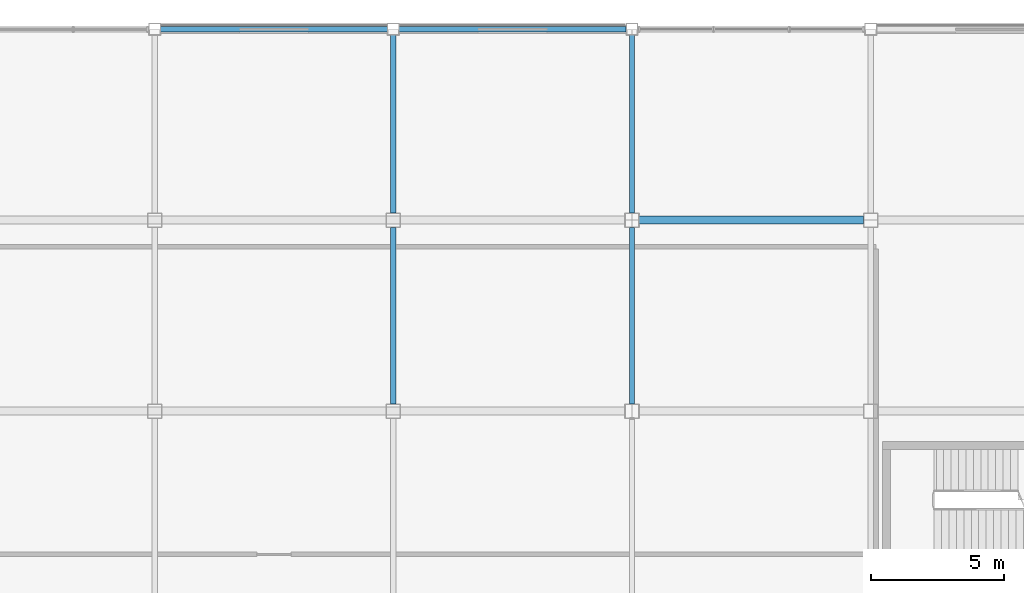
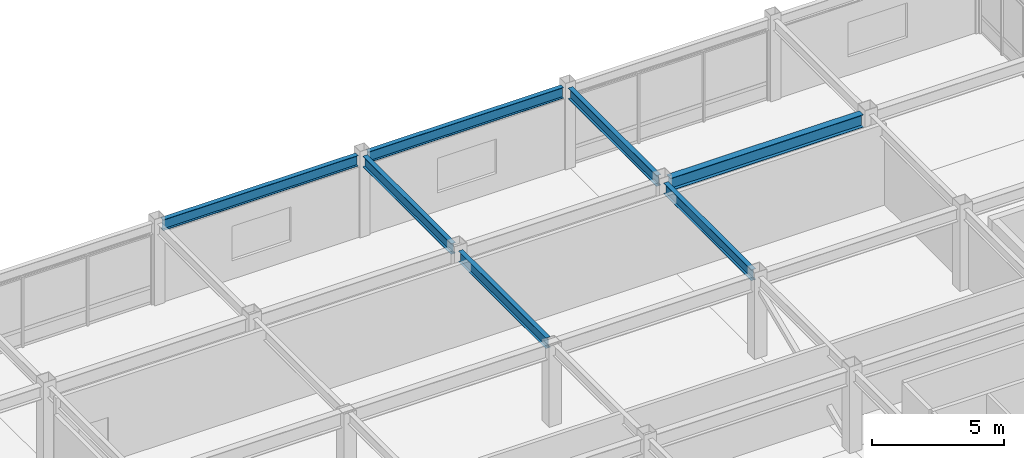
# One storey, part 73 of 122: 7 beams.
"""IFC4 building model written with IfcOpenShell, lengths in metres."""

from ifc_helpers import new_model, si_unit, direction, frame, origin, origin_2d, place, context, subcontext, project, spatial, i_section, extrude, material, material_profile, profile_set, type_object, element, save


model = new_model("IFC4")

# Units and contexts
model_context = context("Model", 3, precision=1e-05, world=origin(), true_north=direction((0.0, 1.0)))
body_context = subcontext(model_context, "Body", "Model", "MODEL_VIEW")
ifc_project = project(units=[si_unit("LENGTHUNIT", "METRE"), si_unit("AREAUNIT", "SQUARE_METRE"), si_unit("VOLUMEUNIT", "CUBIC_METRE"), si_unit("PLANEANGLEUNIT", "RADIAN"), si_unit("MASSUNIT", "GRAM", prefix="KILO")], contexts=[model_context])

# Site, building, storey
site_placement = place(None, origin())
site = spatial("IfcSite", under=ifc_project, at=site_placement, CompositionType="ELEMENT")
building_placement = place(site_placement, origin())
building = spatial("IfcBuilding", under=site, at=building_placement, Name="Kazanami Central Library", CompositionType="ELEMENT")
storey_placement = place(building_placement, frame((0.0, 0.0, 4.800048828125)))
storey = spatial("IfcBuildingStorey", under=building, at=storey_placement, Name="L02", CompositionType="ELEMENT", Elevation=4.800048828125)

# Beams
ifc_material = material(Name="Steel SN490B (325 MPa)", Category="steel")
ifc_material_profile_1 = material_profile(ifc_material, i_section(OverallWidth=0.300048828125, OverallDepth=0.587890625, WebThickness=0.011962890625, FlangeThickness=0.02001953125, at=origin_2d()), Name="H-588x300x12x20")
ifc_profile_set_1 = profile_set([ifc_material_profile_1], Name="Steel SN490B (325 MPa)")
beam_type_1 = type_object("IfcBeamType", Name="BM-G-X2", PredefinedType="BEAM", material=ifc_profile_set_1)
beam_1_placement = place(storey_placement, frame((90.27294921875, 86.39990234375, 3.4609375), z_axis=(1.0, 0.0, 0.0), x_axis=(0.0, 1.0, 0.0)))
element("IfcBeam", 1, at=beam_1_placement, inside=storey, type_object=beam_type_1, Name="Girder G-X2 L02 N/11-12", PredefinedType="BEAM", context=body_context, shape_type="SweptSolid", body=[
    extrude(i_section(OverallWidth=0.300048828125, OverallDepth=0.587890625, WebThickness=0.011962890625, FlangeThickness=0.02001953125, at=origin_2d()), origin(), (0.0, 0.0, 1.0), 8.4541015625),
])
ifc_material_profile_2 = material_profile(ifc_material, i_section(OverallWidth=0.199951171875, OverallDepth=0.5, WebThickness=0.010009765625, FlangeThickness=0.01611328125, at=origin_2d()), Name="H-500x200x10x16")
ifc_profile_set_2 = profile_set([ifc_material_profile_2], Name="Steel SN490B (325 MPa)")
beam_type_2 = type_object("IfcBeamType", Name="BM-G-Y2", PredefinedType="BEAM", material=ifc_profile_set_2)
beam_2_placement = place(storey_placement, frame((81.0, 79.472900390625, 3.5048828125), z_axis=(0.0, 1.0, 0.0), x_axis=(-1.0, 0.0, 0.0)))
element("IfcBeam", 2, at=beam_2_placement, inside=storey, type_object=beam_type_2, Name="Girder G-Y2 L02 10/M-N", PredefinedType="BEAM", context=body_context, shape_type="SweptSolid", body=[
    extrude(i_section(OverallWidth=0.199951171875, OverallDepth=0.5, WebThickness=0.010009765625, FlangeThickness=0.01611328125, at=origin_2d()), origin(), (0.0, 0.0, 1.0), 6.654052734375),
])
beam_3_placement = place(storey_placement, frame((81.0, 86.673095703125, 3.5048828125), z_axis=(0.0, 1.0, 0.0), x_axis=(-1.0, 0.0, 0.0)))
element("IfcBeam", 3, at=beam_3_placement, inside=storey, type_object=beam_type_2, Name="Girder G-Y2 L02 10/N-O", PredefinedType="BEAM", context=body_context, shape_type="SweptSolid", body=[
    extrude(i_section(OverallWidth=0.199951171875, OverallDepth=0.5, WebThickness=0.010009765625, FlangeThickness=0.01611328125, at=origin_2d()), origin(), (0.0, 0.0, 1.0), 6.703857421875),
])
beam_4_placement = place(storey_placement, frame((90.0, 79.472900390625, 3.5048828125), z_axis=(0.0, 1.0, 0.0), x_axis=(-1.0, 0.0, 0.0)))
element("IfcBeam", 4, at=beam_4_placement, inside=storey, type_object=beam_type_2, Name="Girder G-Y2 L02 11/M-N", PredefinedType="BEAM", context=body_context, shape_type="SweptSolid", body=[
    extrude(i_section(OverallWidth=0.199951171875, OverallDepth=0.5, WebThickness=0.010009765625, FlangeThickness=0.01611328125, at=origin_2d()), origin(), (0.0, 0.0, 1.0), 6.654052734375),
])
beam_5_placement = place(storey_placement, frame((90.0, 86.673095703125, 3.5048828125), z_axis=(0.0, 1.0, 0.0), x_axis=(-1.0, 0.0, 0.0)))
element("IfcBeam", 5, at=beam_5_placement, inside=storey, type_object=beam_type_2, Name="Girder G-Y2 L02 11/N-O", PredefinedType="BEAM", context=body_context, shape_type="SweptSolid", body=[
    extrude(i_section(OverallWidth=0.199951171875, OverallDepth=0.5, WebThickness=0.010009765625, FlangeThickness=0.01611328125, at=origin_2d()), origin(), (0.0, 0.0, 1.0), 6.703857421875),
])
ifc_material_profile_3 = material_profile(ifc_material, i_section(OverallWidth=0.199951171875, OverallDepth=0.5, WebThickness=0.010009765625, FlangeThickness=0.01611328125, at=origin_2d()), Name="H-500x200x10x16")
ifc_profile_set_3 = profile_set([ifc_material_profile_3], Name="Steel SN490B (325 MPa)")
beam_type_3 = type_object("IfcBeamType", Name="BM-SP-1", PredefinedType="SPANDREL", material=ifc_profile_set_3)
for number, where, z_axis, x_axis, name in (
    (6, (72.222900390625, 93.60009765625, 3.5048828125), (1.0, 0.0, 0.0), (0.0, 1.0, 0.0), "Girder SP-1 L02 O/9-10"),
    (7, (81.222900390625, 93.60009765625, 3.5048828125), (1.0, 0.0, 0.0), (0.0, 1.0, 0.0), "Girder SP-1 L02 O/10-11"),
):
    element("IfcBeam", number, at=place(storey_placement, frame(where, z_axis=z_axis, x_axis=x_axis)), inside=storey, type_object=beam_type_3, Name=name, PredefinedType="SPANDREL", context=body_context, shape_type="SweptSolid", body=[
        extrude(i_section(OverallWidth=0.199951171875, OverallDepth=0.5, WebThickness=0.010009765625, FlangeThickness=0.01611328125, at=origin_2d()), origin(), (0.0, 0.0, 1.0), 8.55419921875),
    ])

save(model, "model.ifc")
